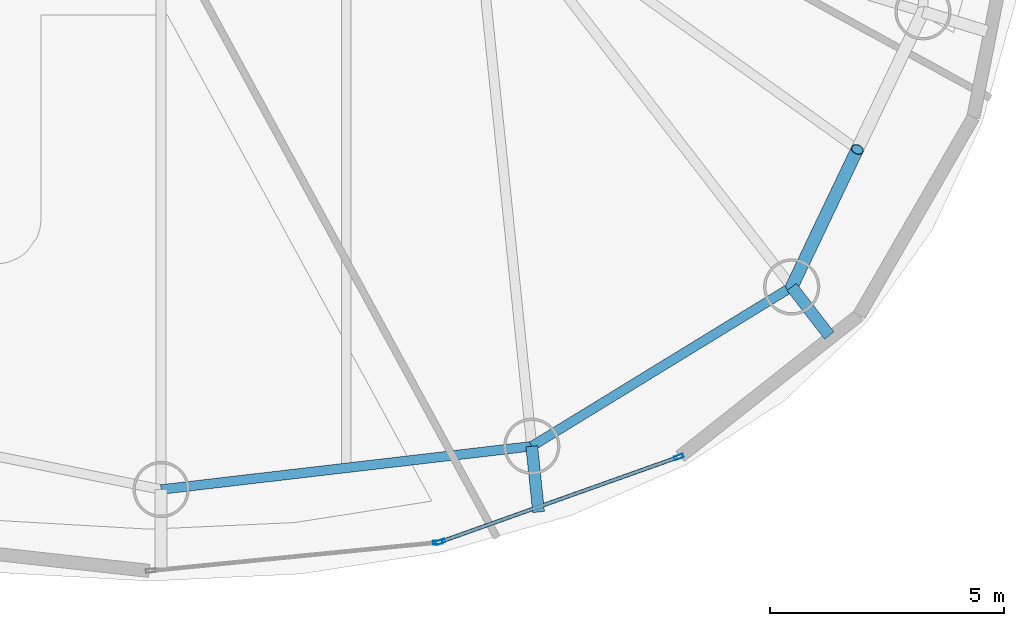
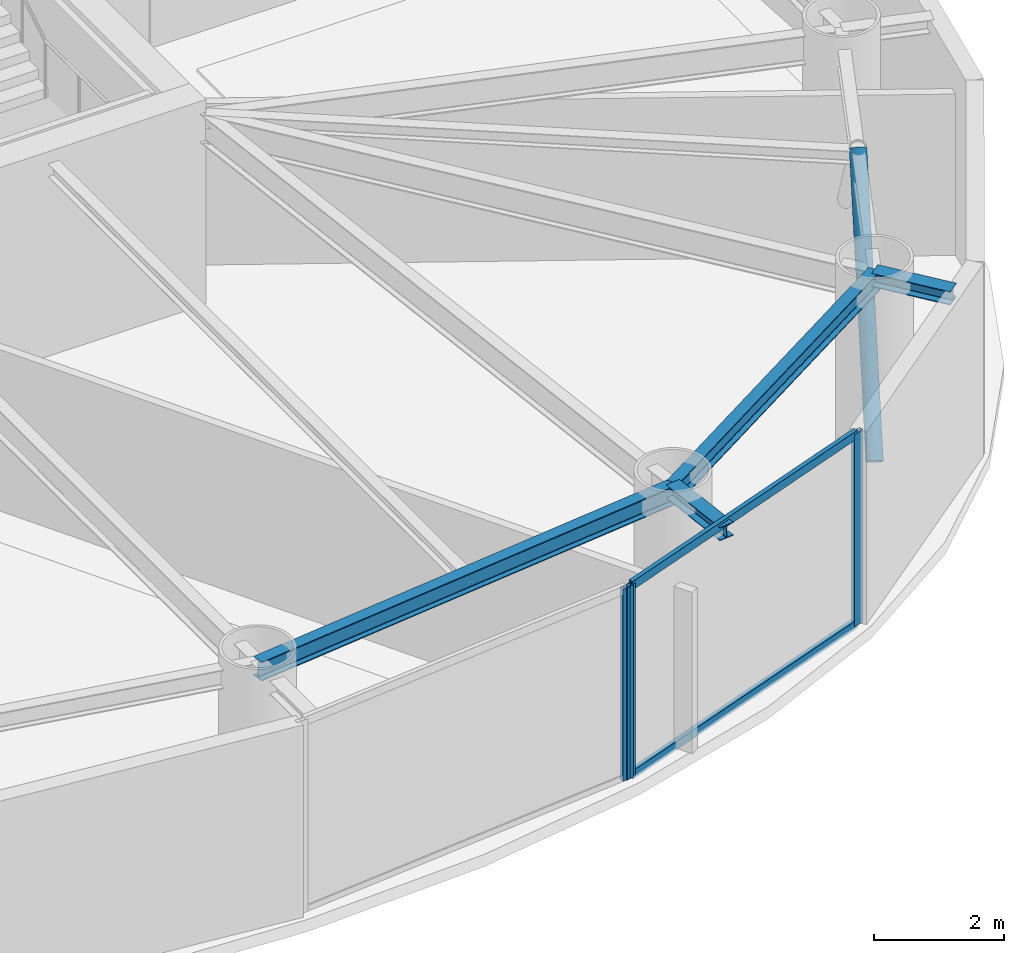
# One storey, part 8 of 23: 6 members, 4 beams, 2 elements without a shape of their own.
"""IFC4 building model written with IfcOpenShell, lengths in metres."""

import ifcopenshell
import ifcopenshell.guid

model = None  # the IFC model being written
_history = None  # IfcOwnerHistory: only IFC2X3 demands one
_inside = {}  # id of a spatial element -> (the spatial element, [elements in it])
_under = {}  # id of a project, library or spatial element -> (it, [spatial elements below it])
_declared = {}  # id of a project -> (the project, [libraries it declares])
_typed = {}  # id of a type object -> (the type object, [elements of that type])
_made_of = {}  # id of a material, layer set ... -> (it, [elements and type objects made of it])


def new_model(schema):
    """Start an empty IFC model of exactly this schema.

    Asked for "IFC4X3", IfcOpenShell would pick the latest addendum, in which some entities
    have other attributes; the version numbers below select the first issue.
    IFC2X3 requires an IfcOwnerHistory on every rooted entity: one is made here for all.
    """
    global model, _history
    if schema == "IFC4X3":
        model = ifcopenshell.file(schema_version=(4, 3, 0, 0))
    else:
        model = ifcopenshell.file(schema=schema)
    _inside.clear()
    _under.clear()
    _declared.clear()
    _typed.clear()
    _made_of.clear()
    _history = None
    if model.schema == "IFC2X3":
        org = make("IfcOrganization", Name="unknown")
        user = make(
            "IfcPersonAndOrganization",
            ThePerson=make("IfcPerson", FamilyName="unknown"),
            TheOrganization=org,
        )
        app = make(
            "IfcApplication",
            ApplicationDeveloper=org,
            Version="unknown",
            ApplicationFullName="unknown",
            ApplicationIdentifier="unknown",
        )
        _history = make(
            "IfcOwnerHistory",
            OwningUser=user,
            OwningApplication=app,
            ChangeAction="ADDED",
            CreationDate=0,
        )
    return model


def make(cls, **values):
    """One entity of the class cls with the attributes given. An attribute that is None is left unset."""
    return model.create_entity(
        cls, **{name: value for name, value in values.items() if value is not None}
    )


def rooted(cls, **values):
    """An entity with a GlobalId (a new one), such as an element, a storey or a relation."""
    return make(cls, GlobalId=ifcopenshell.guid.new(), OwnerHistory=_history, **values)


def si_unit(unit_type, name, prefix=None):
    """IfcSIUnit, for example si_unit("LENGTHUNIT", "METRE", prefix="MILLI")."""
    return make("IfcSIUnit", UnitType=unit_type, Prefix=prefix, Name=name)


def assignment(units):
    """IfcUnitAssignment: the units of a project."""
    return None if units is None else make("IfcUnitAssignment", Units=units)


def point(xyz):
    """IfcCartesianPoint."""
    return None if xyz is None else make("IfcCartesianPoint", Coordinates=xyz)


def direction(xyz):
    """IfcDirection."""
    return None if xyz is None else make("IfcDirection", DirectionRatios=xyz)


def frame(location, z_axis=None, x_axis=None):
    """IfcAxis2Placement3D, a coordinate frame: its origin and axes. An axis left out is left unset."""
    return make(
        "IfcAxis2Placement3D",
        Location=point(location),
        Axis=direction(z_axis),
        RefDirection=direction(x_axis),
    )


def frame_2d(location, x_axis=None):
    """IfcAxis2Placement2D, a coordinate frame in the plane: its origin and x axis."""
    return make(
        "IfcAxis2Placement2D", Location=point(location), RefDirection=direction(x_axis)
    )


def origin():
    """The frame at (0, 0, 0) with its axes left unset."""
    return frame((0.0, 0.0, 0.0))


def origin_2d():
    """The frame at (0, 0) in the plane with its x axis left unset."""
    return frame_2d((0.0, 0.0))


def place(relative_to, where):
    """IfcLocalPlacement: puts the frame where relative to a parent placement (None: the world)."""
    return make(
        "IfcLocalPlacement", PlacementRelTo=relative_to, RelativePlacement=where
    )


def context(
    kind, dimensions, precision=None, world=None, true_north=None, identifier=None
):
    """IfcGeometricRepresentationContext, for example the 3D "Model" context."""
    return make(
        "IfcGeometricRepresentationContext",
        ContextIdentifier=identifier,
        ContextType=kind,
        CoordinateSpaceDimension=dimensions,
        Precision=precision,
        WorldCoordinateSystem=world,
        TrueNorth=true_north,
    )


def subcontext(parent, identifier, kind, view, scale=None):
    """IfcGeometricRepresentationSubContext, for example "Body" below "Model"."""
    return make(
        "IfcGeometricRepresentationSubContext",
        ContextIdentifier=identifier,
        ContextType=kind,
        ParentContext=parent,
        TargetScale=scale,
        TargetView=view,
    )


def project(units=None, contexts=None):
    """IfcProject with its units and contexts."""
    return rooted(
        "IfcProject",
        Name="project",
        RepresentationContexts=contexts,
        UnitsInContext=assignment(units),
    )


def spatial(cls, under=None, at=None, **own):
    """A site, building, storey or space (cls), placed at a placement, below another one or the project."""
    s = rooted(cls, ObjectPlacement=at, **own)
    if under is not None:
        _under.setdefault(under.id(), (under, []))[1].append(s)
    return s


def profile(cls, at=None, kind="AREA", **sizes):
    """A parametric profile (cls). Its sizes go by their IFC names, for example OverallWidth=200.0."""
    return make(cls, ProfileType=kind, Position=at, **sizes)


def hollow_rectangle(**sizes):
    """IfcRectangleHollowProfileDef."""
    return profile("IfcRectangleHollowProfileDef", **sizes)


def hollow_circle(**sizes):
    """IfcCircleHollowProfileDef."""
    return profile("IfcCircleHollowProfileDef", **sizes)


def i_section(**sizes):
    """IfcIShapeProfileDef."""
    return profile("IfcIShapeProfileDef", **sizes)


def extrude(swept, where, along, depth):
    """IfcExtrudedAreaSolid: the profile swept, set in the frame where, extruded along a direction by depth."""
    return make(
        "IfcExtrudedAreaSolid",
        SweptArea=swept,
        Position=where,
        ExtrudedDirection=direction(along),
        Depth=depth,
    )


def shape(context_of_items, identifier, shape_type, items):
    """IfcShapeRepresentation: the items that make up one representation, for example the "Body"."""
    return make(
        "IfcShapeRepresentation",
        ContextOfItems=context_of_items,
        RepresentationIdentifier=identifier,
        RepresentationType=shape_type,
        Items=items,
    )


def material(Name=None, Category=None):
    """IfcMaterial."""
    return make("IfcMaterial", Name=Name, Category=Category)


def layer(
    of_material, thickness, ventilated=None, Name=None, Category=None, Priority=None
):
    """IfcMaterialLayer: one layer of a wall or slab, of a material (None: an air gap)."""
    return make(
        "IfcMaterialLayer",
        Material=of_material,
        LayerThickness=thickness,
        IsVentilated=ventilated,
        Name=Name,
        Category=Category,
        Priority=Priority,
    )


def layer_set(layers, Name=None):
    """IfcMaterialLayerSet."""
    return make("IfcMaterialLayerSet", MaterialLayers=layers, LayerSetName=Name)


def material_profile(
    of_material, cross_section, Name=None, Category=None, Priority=None
):
    """IfcMaterialProfile: a cross section and its material."""
    return make(
        "IfcMaterialProfile",
        Name=Name,
        Material=of_material,
        Profile=cross_section,
        Priority=Priority,
        Category=Category,
    )


def profile_set(profiles, Name=None, composite=None):
    """IfcMaterialProfileSet."""
    return make(
        "IfcMaterialProfileSet",
        Name=Name,
        MaterialProfiles=profiles,
        CompositeProfile=composite,
    )


def made_of(thing, what):
    """Note that an element or type object is made of a material, layer set ...; save() writes the relation."""
    if what is not None:
        _made_of.setdefault(what.id(), (what, []))[1].append(thing)
    return thing


def type_object(cls, material=None, **own):
    """A type object (cls), such as IfcWallType, which elements share."""
    return made_of(rooted(cls, **own), material)


def element(
    cls,
    number,
    at=None,
    inside=None,
    cuts=None,
    type_object=None,
    material=None,
    context=None,
    identifier="Body",
    shape_type=None,
    held_by="IfcProductDefinitionShape",
    body=None,
    shapes=None,
    **own,
):
    """One element of the class cls, such as IfcWall. Its Tag is "e" and its number.

    at: its placement. inside: the storey or other place that contains it. cuts: it is an
    opening in that element (IfcRelVoidsElement). A single representation is given by context,
    identifier, shape_type and body (its items); several are given by shapes. held_by: the class
    of the entity that holds the representations. save() writes the other relations.
    """
    e = rooted(cls, Tag="e%d" % number, ObjectPlacement=at, **own)
    if body is not None:
        shapes = [shape(context, identifier, shape_type, body)]
    if shapes is not None:
        e.Representation = make(held_by, Representations=shapes)
    if inside is not None:
        _inside.setdefault(inside.id(), (inside, []))[1].append(e)
    if cuts is not None:
        rooted(
            "IfcRelVoidsElement", RelatingBuildingElement=cuts, RelatedOpeningElement=e
        )
    if type_object is not None:
        _typed.setdefault(type_object.id(), (type_object, []))[1].append(e)
    return made_of(e, material)


def aggregate(whole, parts):
    """IfcRelAggregates: a whole, such as a stair, and the parts it consists of."""
    return rooted("IfcRelAggregates", RelatingObject=whole, RelatedObjects=parts)


def save(model, path):
    """Write the relations noted so far, then the file.

    IfcRelAggregates (storeys below a building ...), IfcRelContainedInSpatialStructure (elements
    in a storey), IfcRelDefinesByType, IfcRelAssociatesMaterial and IfcRelDeclares: one each for
    every whole, place, type object, material and project.
    """
    for whole, parts in _under.values():
        aggregate(whole, parts)
    for where, things in _inside.values():
        rooted(
            "IfcRelContainedInSpatialStructure",
            RelatedElements=things,
            RelatingStructure=where,
        )
    for kind, things in _typed.values():
        rooted("IfcRelDefinesByType", RelatedObjects=things, RelatingType=kind)
    for what, things in _made_of.values():
        rooted("IfcRelAssociatesMaterial", RelatedObjects=things, RelatingMaterial=what)
    for by, libraries in _declared.values():
        rooted("IfcRelDeclares", RelatingContext=by, RelatedDefinitions=libraries)
    model.write(path)


model = new_model("IFC4")

# Units and contexts
model_context = context("Model", 3, precision=1e-05, world=origin(), true_north=direction((0.0, 1.0)))
body_context = subcontext(model_context, "Body", "Model", "MODEL_VIEW")
ifc_project = project(units=[si_unit("LENGTHUNIT", "METRE"), si_unit("AREAUNIT", "SQUARE_METRE"), si_unit("VOLUMEUNIT", "CUBIC_METRE"), si_unit("PLANEANGLEUNIT", "RADIAN"), si_unit("MASSUNIT", "GRAM", prefix="KILO")], contexts=[model_context])

# Site, building, storey
site_placement = place(None, origin())
site = spatial("IfcSite", under=ifc_project, at=site_placement, CompositionType="ELEMENT")
building_placement = place(site_placement, origin())
building = spatial("IfcBuilding", under=site, at=building_placement, Name="Bramvorn Convention Spire", CompositionType="ELEMENT")
storey_placement = place(building_placement, frame((0.0, 0.0, 194.300048828125)))
storey = spatial("IfcBuildingStorey", under=building, at=storey_placement, Name="L49", CompositionType="ELEMENT", Elevation=194.300048828125)

# Beams
ifc_material_1 = material(Name="Steel CSA G40.21 Grade 350 (350W)", Category="steel")
ifc_material_profile_1 = material_profile(ifc_material_1, i_section(OverallWidth=0.25390625, OverallDepth=0.2529296875, WebThickness=0.008544921875, FlangeThickness=0.01416015625, FilletRadius=0.011962890625, at=origin_2d()))
ifc_profile_set_1 = profile_set([ifc_material_profile_1], Name="Steel CSA G40.21 Grade 350 (350W) - W250X73")
beam_type_1 = type_object("IfcBeamType", Name="BM-W250X73", PredefinedType="BEAM", material=ifc_profile_set_1)
beam_1_placement = place(storey_placement, frame((56.058349609375, 9.739990234375, 3.493408203125), z_axis=(0.61148986985, -0.791252260073, 0.0), x_axis=(0.791252260073, 0.61148986985, 0.0)))
element("IfcBeam", 1, at=beam_1_placement, inside=storey, type_object=beam_type_1, Name="L49 slab-edge cantilever tip beam MC01", PredefinedType="BEAM", context=body_context, shape_type="SweptSolid", body=[
    extrude(i_section(OverallWidth=0.25390625, OverallDepth=0.2529296875, WebThickness=0.008544921875, FlangeThickness=0.01416015625, FilletRadius=0.011962890625, at=origin_2d()), origin(), (0.0, 0.0, 1.0), 1.31201171875),
])
beam_2_placement = place(storey_placement, frame((50.50439453125, 6.336181640625, 3.493408203125), z_axis=(0.10223920606, -0.994759842748, 0.0), x_axis=(0.994759842748, 0.10223920606, 0.0)))
element("IfcBeam", 2, at=beam_2_placement, inside=storey, type_object=beam_type_1, Name="L49 slab-edge cantilever tip beam MC16", PredefinedType="BEAM", context=body_context, shape_type="SweptSolid", body=[
    extrude(i_section(OverallWidth=0.25390625, OverallDepth=0.2529296875, WebThickness=0.008544921875, FlangeThickness=0.01416015625, FilletRadius=0.011962890625, at=origin_2d()), origin(), (0.0, 0.0, 1.0), 1.41357421875),
])
ifc_material_profile_2 = material_profile(ifc_material_1, i_section(OverallWidth=0.205078125, OverallDepth=0.35400390625, WebThickness=0.009521484375, FlangeThickness=0.016845703125, FilletRadius=0.014892578125, at=origin_2d()))
ifc_profile_set_2 = profile_set([ifc_material_profile_2], Name="Steel CSA G40.21 Grade 350 (350W) - W360X79")
beam_type_2 = type_object("IfcBeamType", Name="BM-W360X79", PredefinedType="JOIST", material=ifc_profile_set_2)
beam_3_placement = place(storey_placement, frame((42.583740234375, 5.41162109375, 3.44287109375), z_axis=(0.993256148339, 0.115940604561, 0.0), x_axis=(-0.115940604561, 0.993256148339, 0.0)))
element("IfcBeam", 3, at=beam_3_placement, inside=storey, type_object=beam_type_2, Name="L49 mega-column ring beam 15", PredefinedType="JOIST", context=body_context, shape_type="SweptSolid", body=[
    extrude(i_section(OverallWidth=0.205078125, OverallDepth=0.35400390625, WebThickness=0.009521484375, FlangeThickness=0.016845703125, FilletRadius=0.014892578125, at=origin_2d()), origin(), (0.0, 0.0, 1.0), 7.974365234375),
])
beam_4_placement = place(storey_placement, frame((50.50439453125, 6.336181640625, 3.44287109375), z_axis=(0.852616873135, 0.522536570629, 0.0), x_axis=(-0.522536570629, 0.852616873135, 0.0)))
element("IfcBeam", 4, at=beam_4_placement, inside=storey, type_object=beam_type_2, Name="L49 mega-column ring beam 16", PredefinedType="JOIST", context=body_context, shape_type="SweptSolid", body=[
    extrude(i_section(OverallWidth=0.205078125, OverallDepth=0.35400390625, WebThickness=0.009521484375, FlangeThickness=0.016845703125, FilletRadius=0.014892578125, at=origin_2d()), origin(), (0.0, 0.0, 1.0), 6.513916015625),
])

# Curtain wall, member
ifc_material_2 = material(Name="Anodised Bronze Unitised Curtain Wall", Category="aluminium")
ifc_layer = layer(ifc_material_2, 0.179931640625)
ifc_layer_set = layer_set([ifc_layer], Name="Anodised Bronze Unitised Curtain Wall - CW-OFF-FRIT")
curtain_wall_type = type_object("IfcCurtainWallType", Name="CW-OFF-FRIT", PredefinedType="USERDEFINED", material=ifc_layer_set)
curtain_wall_1_placement = place(storey_placement, origin())
curtain_wall_1 = element("IfcCurtainWall", 5, at=curtain_wall_1_placement, inside=storey, type_object=curtain_wall_type, Name="L49 fritted glass curtain wall 22", ObjectType="UNITISED CURTAIN WALL", PredefinedType="USERDEFINED")
ifc_material_3 = material(Name="Anodised Bronze Aluminium 6063-T6", Category="aluminium")
ifc_material_profile_3 = material_profile(ifc_material_3, hollow_rectangle(XDim=0.080078125, YDim=0.199951171875, WallThickness=0.00390625, InnerFilletRadius=0.0009765625, OuterFilletRadius=0.00390625, at=origin_2d()))
ifc_profile_set_3 = profile_set([ifc_material_profile_3], Name="Anodised Bronze Aluminium 6063-T6 - CWM80X200")
member_type_1 = type_object("IfcMemberType", Name="CW-MUL-180", PredefinedType="MULLION", material=ifc_profile_set_3)
member_1_placement = place(storey_placement, frame((48.4951171875, 4.281005859375, 0.0), z_axis=(0.0, 0.0, 1.0), x_axis=(0.098099490805, -0.995176612418, 0.0)))
member_1 = element("IfcMember", 6, at=member_1_placement, type_object=member_type_1, Name="CW3 mullion 1", PredefinedType="MULLION", context=body_context, shape_type="SweptSolid", body=[
    extrude(hollow_rectangle(XDim=0.080078125, YDim=0.199951171875, WallThickness=0.00390625, InnerFilletRadius=0.0009765625, OuterFilletRadius=0.00390625, at=origin_2d()), origin(), (0.0, 0.0, 1.0), 3.619873046875),
])
aggregate(curtain_wall_1, [member_1])

# Curtain wall, members
curtain_wall_2_placement = place(storey_placement, origin())
curtain_wall_2 = element("IfcCurtainWall", 7, at=curtain_wall_2_placement, inside=storey, type_object=curtain_wall_type, Name="L49 fritted glass curtain wall 23", ObjectType="UNITISED CURTAIN WALL", PredefinedType="USERDEFINED")
member_2_placement = place(storey_placement, frame((53.64453125, 6.106689453125, 0.0), z_axis=(0.0, 0.0, 1.0), x_axis=(0.335383302194, -0.942081758984, 0.0)))
member_2 = element("IfcMember", 8, at=member_2_placement, type_object=member_type_1, Name="CW3 mullion 1", PredefinedType="MULLION", context=body_context, shape_type="SweptSolid", body=[
    extrude(hollow_rectangle(XDim=0.080078125, YDim=0.199951171875, WallThickness=0.00390625, InnerFilletRadius=0.0009765625, OuterFilletRadius=0.00390625, at=origin_2d()), origin(), (0.0, 0.0, 1.0), 3.619873046875),
])
member_3_placement = place(storey_placement, frame((48.55322265625, 4.2939453125, 0.0), z_axis=(0.0, 0.0, 1.0), x_axis=(0.335383302194, -0.942081758984, 0.0)))
member_3 = element("IfcMember", 9, at=member_3_placement, type_object=member_type_1, Name="CW3 mullion 2", PredefinedType="MULLION", context=body_context, shape_type="SweptSolid", body=[
    extrude(hollow_rectangle(XDim=0.080078125, YDim=0.199951171875, WallThickness=0.00390625, InnerFilletRadius=0.0009765625, OuterFilletRadius=0.00390625, at=origin_2d()), origin(), (0.0, 0.0, 1.0), 3.619873046875),
])
ifc_material_profile_4 = material_profile(ifc_material_3, hollow_rectangle(XDim=0.080078125, YDim=0.159912109375, WallThickness=0.00390625, InnerFilletRadius=0.0009765625, OuterFilletRadius=0.00390625, at=origin_2d()))
ifc_profile_set_4 = profile_set([ifc_material_profile_4], Name="Anodised Bronze Aluminium 6063-T6 - CWT80X160")
member_type_2 = type_object("IfcMemberType", Name="CW-TRN-150", PredefinedType="USERDEFINED", material=ifc_profile_set_4)
member_4_placement = place(storey_placement, frame((53.616455078125, 6.0966796875, 0.030029296875), z_axis=(-0.942079392942, -0.335389948261, 0.0), x_axis=(0.335389948261, -0.942079392942, 0.0)))
member_4 = element("IfcMember", 10, at=member_4_placement, type_object=member_type_2, Name="CW3 transom 1.1", ObjectType="TRANSOM", PredefinedType="USERDEFINED", context=body_context, shape_type="SweptSolid", body=[
    extrude(hollow_rectangle(XDim=0.080078125, YDim=0.159912109375, WallThickness=0.00390625, InnerFilletRadius=0.0009765625, OuterFilletRadius=0.00390625, at=origin_2d()), origin(), (0.0, 0.0, 1.0), 5.344482421875),
])
member_5_placement = place(storey_placement, frame((53.616455078125, 6.0966796875, 3.58984375), z_axis=(-0.942079392942, -0.335389948261, 0.0), x_axis=(0.335389948261, -0.942079392942, 0.0)))
member_5 = element("IfcMember", 11, at=member_5_placement, type_object=member_type_2, Name="CW3 transom 1.2", ObjectType="TRANSOM", PredefinedType="USERDEFINED", context=body_context, shape_type="SweptSolid", body=[
    extrude(hollow_rectangle(XDim=0.080078125, YDim=0.159912109375, WallThickness=0.00390625, InnerFilletRadius=0.0009765625, OuterFilletRadius=0.00390625, at=origin_2d()), origin(), (0.0, 0.0, 1.0), 5.344482421875),
])
aggregate(curtain_wall_2, [member_2, member_3, member_4, member_5])

# Member
ifc_material_profile_5 = material_profile(ifc_material_1, hollow_circle(Radius=0.136474609375, WallThickness=0.0126953125, at=origin_2d()))
ifc_profile_set_5 = profile_set([ifc_material_profile_5], Name="Steel CSA G40.21 Grade 350 (350W) - CHS273X13")
member_type_3 = type_object("IfcMemberType", Name="MBR-CHS273X13", PredefinedType="BRACE", material=ifc_profile_set_5)
member_6_placement = place(storey_placement, frame((56.058349609375, 9.739990234375, 0.0), z_axis=(0.287986142668, 0.603697970728, 0.743379271819), x_axis=(-0.902563799223, 0.430556138422, 0.0)))
element("IfcMember", 12, at=member_6_placement, inside=storey, type_object=member_type_3, Name="L49 perimeter Gothic lancet brace 1A", PredefinedType="BRACE", context=body_context, shape_type="SweptSolid", body=[
    extrude(hollow_circle(Radius=0.136474609375, WallThickness=0.0126953125, at=origin_2d()), origin(), (0.0, 0.0, 1.0), 4.869384765625),
])

save(model, "model.ifc")
